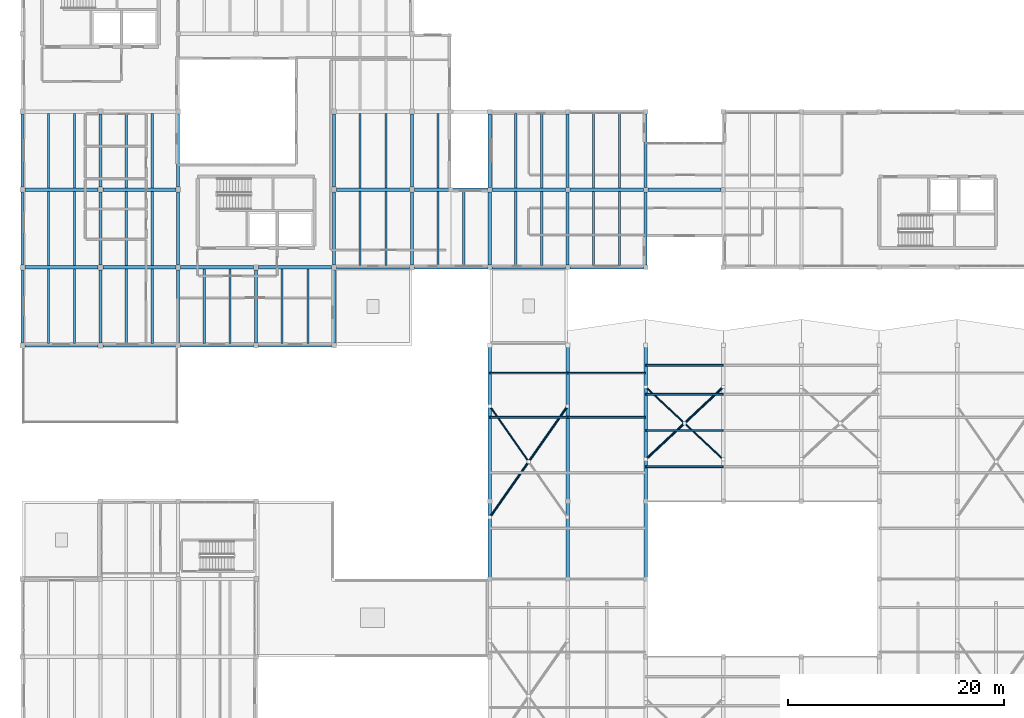
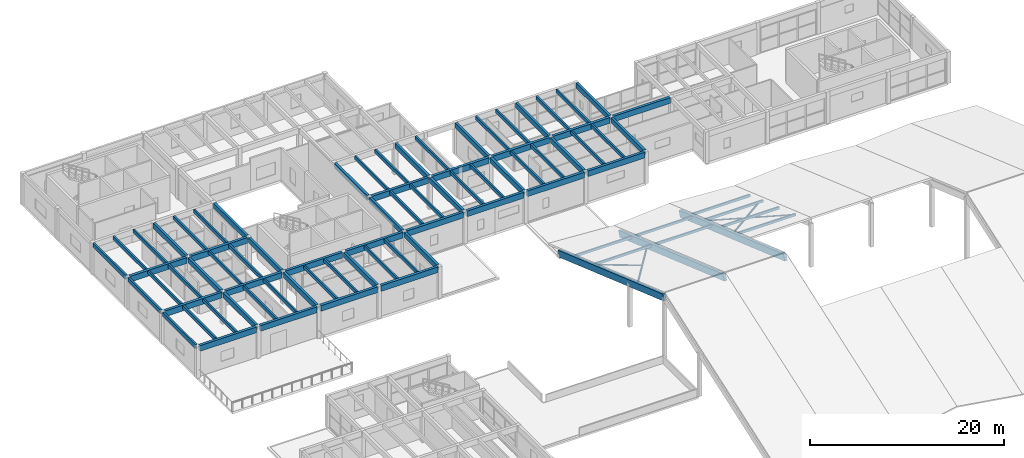
# One storey, part 27 of 68: 74 beams, 13 members.
"""IFC4 building model written with IfcOpenShell, lengths in metres."""

from ifc_helpers import new_model, si_unit, direction, frame, origin, origin_2d, place, context, subcontext, project, spatial, rectangle, hollow_circle, extrude, material, material_profile, profile_set, type_object, element, save


model = new_model("IFC4")

# Units and contexts
model_context = context("Model", 3, precision=1e-05, world=origin(), true_north=direction((0.0, 1.0)))
body_context = subcontext(model_context, "Body", "Model", "MODEL_VIEW")
ifc_project = project(units=[si_unit("LENGTHUNIT", "METRE"), si_unit("AREAUNIT", "SQUARE_METRE"), si_unit("VOLUMEUNIT", "CUBIC_METRE"), si_unit("PLANEANGLEUNIT", "RADIAN"), si_unit("MASSUNIT", "GRAM", prefix="KILO")], contexts=[model_context])

# Site, building, storey
site_placement = place(None, origin())
site = spatial("IfcSite", under=ifc_project, at=site_placement, CompositionType="ELEMENT")
building_placement = place(site_placement, origin())
building = spatial("IfcBuilding", under=site, at=building_placement, Name="Bramvelor Terrace Health Centre", CompositionType="ELEMENT")
storey_placement = place(building_placement, frame((0.0, 0.0, 9.300048828125)))
storey = spatial("IfcBuildingStorey", under=building, at=storey_placement, Name="L03", CompositionType="ELEMENT", Elevation=9.300048828125)

# Beams
ifc_material_1 = material(Name="Glulam GL28h", Category="wood")
ifc_material_profile_1 = material_profile(ifc_material_1, rectangle(XDim=0.280029296875, YDim=0.639892578125, at=origin_2d()), Name="GL 280x640")
ifc_profile_set_1 = profile_set([ifc_material_profile_1], Name="Glulam GL28h")
beam_type_1 = type_object("IfcBeamType", Name="BM-GL-G640", PredefinedType="BEAM", material=ifc_profile_set_1)
for number, where, z_axis, x_axis, name in (
    (1, (7.199951171875, 79.425048828125, 3.669921875), (0.0, 1.0, 0.0), (-1.0, 0.0, 0.0), "L03 Floor Girder"),
    (2, (7.199951171875, 86.625, 3.669921875), (0.0, 1.0, 0.0), (-1.0, 0.0, 0.0), "L03 Floor Girder"),
    (3, (7.199951171875, 93.824951171875, 3.669921875), (0.0, 1.0, 0.0), (-1.0, 0.0, 0.0), "L03 Floor Girder"),
    (4, (14.39990234375, 79.425048828125, 3.669921875), (0.0, 1.0, 0.0), (-1.0, 0.0, 0.0), "L03 Floor Girder"),
    (5, (14.39990234375, 86.625, 3.669921875), (0.0, 1.0, 0.0), (-1.0, 0.0, 0.0), "L03 Floor Girder"),
    (6, (14.39990234375, 93.824951171875, 3.669921875), (0.0, 1.0, 0.0), (-1.0, 0.0, 0.0), "L03 Floor Girder"),
    (7, (21.60009765625, 79.425048828125, 3.669921875), (0.0, 1.0, 0.0), (-1.0, 0.0, 0.0), "L03 Floor Girder"),
    (8, (28.800048828125, 79.425048828125, 3.669921875), (0.0, 1.0, 0.0), (-1.0, 0.0, 0.0), "L03 Floor Girder"),
    (9, (28.800048828125, 86.625, 3.669921875), (0.0, 1.0, 0.0), (-1.0, 0.0, 0.0), "L03 Floor Girder"),
    (10, (28.800048828125, 93.824951171875, 3.669921875), (0.0, 1.0, 0.0), (-1.0, 0.0, 0.0), "L03 Floor Girder"),
    (11, (36.0, 86.625, 3.669921875), (0.0, 1.0, 0.0), (-1.0, 0.0, 0.0), "L03 Floor Girder"),
    (12, (36.0, 93.824951171875, 3.669921875), (0.0, 1.0, 0.0), (-1.0, 0.0, 0.0), "L03 Floor Girder"),
):
    element("IfcBeam", number, at=place(storey_placement, frame(where, z_axis=z_axis, x_axis=x_axis)), inside=storey, type_object=beam_type_1, Name=name, PredefinedType="BEAM", context=body_context, shape_type="SweptSolid", body=[
        extrude(rectangle(XDim=0.280029296875, YDim=0.639892578125, at=origin_2d()), origin(), (0.0, 0.0, 1.0), 6.75),
    ])
beam_1_placement = place(storey_placement, frame((43.199951171875, 86.610107421875, 3.669921875), z_axis=(0.0, 1.0, 0.0), x_axis=(-1.0, 0.0, 0.0)))
element("IfcBeam", 13, at=beam_1_placement, inside=storey, type_object=beam_type_1, Name="L03 Floor Girder", PredefinedType="BEAM", context=body_context, shape_type="SweptSolid", body=[
    extrude(rectangle(XDim=0.280029296875, YDim=0.639892578125, at=origin_2d()), origin(), (0.0, 0.0, 1.0), 6.77978515625),
])
beam_2_placement = place(storey_placement, frame((43.199951171875, 93.81005859375, 3.669921875), z_axis=(0.0, 1.0, 0.0), x_axis=(-1.0, 0.0, 0.0)))
element("IfcBeam", 14, at=beam_2_placement, inside=storey, type_object=beam_type_1, Name="L03 Floor Girder", PredefinedType="BEAM", context=body_context, shape_type="SweptSolid", body=[
    extrude(rectangle(XDim=0.280029296875, YDim=0.639892578125, at=origin_2d()), origin(), (0.0, 0.0, 1.0), 6.780029296875),
])
beam_3_placement = place(storey_placement, frame((50.39990234375, 86.610107421875, 3.669921875), z_axis=(0.0, 1.0, 0.0), x_axis=(-1.0, 0.0, 0.0)))
element("IfcBeam", 15, at=beam_3_placement, inside=storey, type_object=beam_type_1, Name="L03 Floor Girder", PredefinedType="BEAM", context=body_context, shape_type="SweptSolid", body=[
    extrude(rectangle(XDim=0.280029296875, YDim=0.639892578125, at=origin_2d()), origin(), (0.0, 0.0, 1.0), 6.77978515625),
])
beam_4_placement = place(storey_placement, frame((50.39990234375, 93.81005859375, 3.669921875), z_axis=(0.0, 1.0, 0.0), x_axis=(-1.0, 0.0, 0.0)))
element("IfcBeam", 16, at=beam_4_placement, inside=storey, type_object=beam_type_1, Name="L03 Floor Girder", PredefinedType="BEAM", context=body_context, shape_type="SweptSolid", body=[
    extrude(rectangle(XDim=0.280029296875, YDim=0.639892578125, at=origin_2d()), origin(), (0.0, 0.0, 1.0), 6.780029296875),
])
beam_5_placement = place(storey_placement, frame((57.60009765625, 86.610107421875, 3.669921875), z_axis=(0.0, 1.0, 0.0), x_axis=(-1.0, 0.0, 0.0)))
element("IfcBeam", 17, at=beam_5_placement, inside=storey, type_object=beam_type_1, Name="L03 Floor Girder", PredefinedType="BEAM", context=body_context, shape_type="SweptSolid", body=[
    extrude(rectangle(XDim=0.280029296875, YDim=0.639892578125, at=origin_2d()), origin(), (0.0, 0.0, 1.0), 6.77978515625),
])
beam_6_placement = place(storey_placement, frame((57.60009765625, 93.81005859375, 3.669921875), z_axis=(0.0, 1.0, 0.0), x_axis=(-1.0, 0.0, 0.0)))
element("IfcBeam", 18, at=beam_6_placement, inside=storey, type_object=beam_type_1, Name="L03 Floor Girder", PredefinedType="BEAM", context=body_context, shape_type="SweptSolid", body=[
    extrude(rectangle(XDim=0.280029296875, YDim=0.639892578125, at=origin_2d()), origin(), (0.0, 0.0, 1.0), 6.780029296875),
])
ifc_material_2 = material(Name="Glulam GL28h", Category="wood")
ifc_material_profile_2 = material_profile(ifc_material_2, rectangle(XDim=0.320068359375, YDim=0.719970703125, at=origin_2d()), Name="GL 320x720")
ifc_profile_set_2 = profile_set([ifc_material_profile_2], Name="Glulam GL28h")
beam_type_2 = type_object("IfcBeamType", Name="BM-GL-G720", PredefinedType="BEAM", material=ifc_profile_set_2)
for number, where, z_axis, x_axis, name in (
    (19, (0.22509765625, 79.199951171875, 3.6298828125), (1.0, 0.0, 0.0), (0.0, 1.0, 0.0), "L03 Floor Girder"),
    (20, (0.22509765625, 86.39990234375, 3.6298828125), (1.0, 0.0, 0.0), (0.0, 1.0, 0.0), "L03 Floor Girder"),
    (21, (0.22509765625, 93.60009765625, 3.6298828125), (1.0, 0.0, 0.0), (0.0, 1.0, 0.0), "L03 Floor Girder"),
    (22, (7.425048828125, 79.199951171875, 3.6298828125), (1.0, 0.0, 0.0), (0.0, 1.0, 0.0), "L03 Floor Girder"),
    (23, (7.425048828125, 86.39990234375, 3.6298828125), (1.0, 0.0, 0.0), (0.0, 1.0, 0.0), "L03 Floor Girder"),
    (24, (7.425048828125, 93.60009765625, 3.6298828125), (1.0, 0.0, 0.0), (0.0, 1.0, 0.0), "L03 Floor Girder"),
    (25, (14.625, 79.199951171875, 3.6298828125), (1.0, 0.0, 0.0), (0.0, 1.0, 0.0), "L03 Floor Girder"),
    (26, (14.625, 86.39990234375, 3.6298828125), (1.0, 0.0, 0.0), (0.0, 1.0, 0.0), "L03 Floor Girder"),
    (27, (21.824951171875, 79.199951171875, 3.6298828125), (1.0, 0.0, 0.0), (0.0, 1.0, 0.0), "L03 Floor Girder"),
    (28, (21.824951171875, 86.39990234375, 3.6298828125), (1.0, 0.0, 0.0), (0.0, 1.0, 0.0), "L03 Floor Girder"),
    (29, (29.02490234375, 86.39990234375, 3.6298828125), (1.0, 0.0, 0.0), (0.0, 1.0, 0.0), "L03 Floor Girder"),
    (30, (29.02490234375, 93.60009765625, 3.6298828125), (1.0, 0.0, 0.0), (0.0, 1.0, 0.0), "L03 Floor Girder"),
):
    element("IfcBeam", number, at=place(storey_placement, frame(where, z_axis=z_axis, x_axis=x_axis)), inside=storey, type_object=beam_type_2, Name=name, PredefinedType="BEAM", context=body_context, shape_type="SweptSolid", body=[
        extrude(rectangle(XDim=0.320068359375, YDim=0.719970703125, at=origin_2d()), origin(), (0.0, 0.0, 1.0), 6.75),
    ])
for number, where, z_axis, x_axis, name in (
    (31, (36.22509765625, 86.39990234375, 3.619873046875), (1.0, 0.0, 0.0), (0.0, 1.0, 0.0), "L03 Floor Girder"),
    (32, (36.22509765625, 93.60009765625, 3.619873046875), (1.0, 0.0, 0.0), (0.0, 1.0, 0.0), "L03 Floor Girder"),
):
    element("IfcBeam", number, at=place(storey_placement, frame(where, z_axis=z_axis, x_axis=x_axis)), inside=storey, type_object=beam_type_2, Name=name, PredefinedType="BEAM", context=body_context, shape_type="SweptSolid", body=[
        extrude(rectangle(XDim=0.320068359375, YDim=0.719970703125, at=origin_2d()), origin(), (0.0, 0.0, 1.0), 6.764892578125),
    ])
for number, where, z_axis, x_axis, name in (
    (33, (43.409912109375, 86.39990234375, 3.6298828125), (1.0, 0.0, 0.0), (0.0, 1.0, 0.0), "L03 Floor Girder"),
    (34, (43.409912109375, 93.60009765625, 3.6298828125), (1.0, 0.0, 0.0), (0.0, 1.0, 0.0), "L03 Floor Girder"),
):
    element("IfcBeam", number, at=place(storey_placement, frame(where, z_axis=z_axis, x_axis=x_axis)), inside=storey, type_object=beam_type_2, Name=name, PredefinedType="BEAM", context=body_context, shape_type="SweptSolid", body=[
        extrude(rectangle(XDim=0.320068359375, YDim=0.719970703125, at=origin_2d()), origin(), (0.0, 0.0, 1.0), 6.780029296875),
    ])
for number, where, z_axis, x_axis, name in (
    (35, (50.610107421875, 86.39990234375, 3.6298828125), (1.0, 0.0, 0.0), (0.0, 1.0, 0.0), "L03 Floor Girder"),
    (36, (50.610107421875, 93.60009765625, 3.6298828125), (1.0, 0.0, 0.0), (0.0, 1.0, 0.0), "L03 Floor Girder"),
):
    element("IfcBeam", number, at=place(storey_placement, frame(where, z_axis=z_axis, x_axis=x_axis)), inside=storey, type_object=beam_type_2, Name=name, PredefinedType="BEAM", context=body_context, shape_type="SweptSolid", body=[
        extrude(rectangle(XDim=0.320068359375, YDim=0.719970703125, at=origin_2d()), origin(), (0.0, 0.0, 1.0), 6.77978515625),
    ])
beam_7_placement = place(storey_placement, frame((57.81005859375, 93.60009765625, 3.6298828125), z_axis=(1.0, 0.0, 0.0), x_axis=(0.0, 1.0, 0.0)))
element("IfcBeam", 37, at=beam_7_placement, inside=storey, type_object=beam_type_2, Name="L03 Floor Girder", PredefinedType="BEAM", context=body_context, shape_type="SweptSolid", body=[
    extrude(rectangle(XDim=0.320068359375, YDim=0.719970703125, at=origin_2d()), origin(), (0.0, 0.0, 1.0), 6.780029296875),
])
ifc_material_3 = material(Name="Glulam GL28h", Category="wood")
ifc_material_profile_3 = material_profile(ifc_material_3, rectangle(XDim=0.199951171875, YDim=0.43994140625, at=origin_2d()), Name="GL 200x440")
ifc_profile_set_3 = profile_set([ifc_material_profile_3], Name="Glulam GL28h")
beam_type_3 = type_object("IfcBeamType", Name="BM-GL-J440", PredefinedType="JOIST", material=ifc_profile_set_3)
for number, where, z_axis, x_axis, name in (
    (38, (2.39990234375, 79.360107421875, 3.77001953125), (0.0, 1.0, 0.0), (-1.0, 0.0, 0.0), "L03 Secondary Floor Joist"),
    (39, (4.800048828125, 79.360107421875, 3.77001953125), (0.0, 1.0, 0.0), (-1.0, 0.0, 0.0), "L03 Secondary Floor Joist"),
    (40, (2.39990234375, 86.56005859375, 3.77001953125), (0.0, 1.0, 0.0), (-1.0, 0.0, 0.0), "L03 Secondary Floor Joist"),
    (41, (4.800048828125, 86.56005859375, 3.77001953125), (0.0, 1.0, 0.0), (-1.0, 0.0, 0.0), "L03 Secondary Floor Joist"),
    (42, (2.39990234375, 93.760009765625, 3.77001953125), (0.0, 1.0, 0.0), (-1.0, 0.0, 0.0), "L03 Secondary Floor Joist"),
    (43, (4.800048828125, 93.760009765625, 3.77001953125), (0.0, 1.0, 0.0), (-1.0, 0.0, 0.0), "L03 Secondary Floor Joist"),
    (44, (9.60009765625, 79.360107421875, 3.77001953125), (0.0, 1.0, 0.0), (-1.0, 0.0, 0.0), "L03 Secondary Floor Joist"),
    (45, (12.0, 79.360107421875, 3.77001953125), (0.0, 1.0, 0.0), (-1.0, 0.0, 0.0), "L03 Secondary Floor Joist"),
    (46, (9.60009765625, 86.56005859375, 3.77001953125), (0.0, 1.0, 0.0), (-1.0, 0.0, 0.0), "L03 Secondary Floor Joist"),
    (47, (12.0, 86.56005859375, 3.77001953125), (0.0, 1.0, 0.0), (-1.0, 0.0, 0.0), "L03 Secondary Floor Joist"),
    (48, (9.60009765625, 93.760009765625, 3.77001953125), (0.0, 1.0, 0.0), (-1.0, 0.0, 0.0), "L03 Secondary Floor Joist"),
    (49, (12.0, 93.760009765625, 3.77001953125), (0.0, 1.0, 0.0), (-1.0, 0.0, 0.0), "L03 Secondary Floor Joist"),
    (50, (16.800048828125, 79.360107421875, 3.77001953125), (0.0, 1.0, 0.0), (-1.0, 0.0, 0.0), "L03 Secondary Floor Joist"),
    (51, (19.199951171875, 79.360107421875, 3.77001953125), (0.0, 1.0, 0.0), (-1.0, 0.0, 0.0), "L03 Secondary Floor Joist"),
    (52, (24.0, 79.360107421875, 3.77001953125), (0.0, 1.0, 0.0), (-1.0, 0.0, 0.0), "L03 Secondary Floor Joist"),
    (53, (26.39990234375, 79.360107421875, 3.77001953125), (0.0, 1.0, 0.0), (-1.0, 0.0, 0.0), "L03 Secondary Floor Joist"),
    (54, (31.199951171875, 86.56005859375, 3.77001953125), (0.0, 1.0, 0.0), (-1.0, 0.0, 0.0), "L03 Secondary Floor Joist"),
    (55, (33.60009765625, 86.56005859375, 3.77001953125), (0.0, 1.0, 0.0), (-1.0, 0.0, 0.0), "L03 Secondary Floor Joist"),
    (56, (31.199951171875, 93.760009765625, 3.77001953125), (0.0, 1.0, 0.0), (-1.0, 0.0, 0.0), "L03 Secondary Floor Joist"),
    (57, (33.60009765625, 93.760009765625, 3.77001953125), (0.0, 1.0, 0.0), (-1.0, 0.0, 0.0), "L03 Secondary Floor Joist"),
    (58, (38.39990234375, 86.56005859375, 3.760009765625), (0.0, 1.0, 0.0), (-1.0, 0.0, 0.0), "L03 Secondary Floor Joist"),
    (59, (40.800048828125, 86.56005859375, 3.760009765625), (0.0, 1.0, 0.0), (-1.0, 0.0, 0.0), "L03 Secondary Floor Joist"),
    (60, (38.39990234375, 93.760009765625, 3.760009765625), (0.0, 1.0, 0.0), (-1.0, 0.0, 0.0), "L03 Secondary Floor Joist"),
    (61, (45.60009765625, 86.56005859375, 3.77001953125), (0.0, 1.0, 0.0), (-1.0, 0.0, 0.0), "L03 Secondary Floor Joist"),
    (62, (48.0, 86.56005859375, 3.77001953125), (0.0, 1.0, 0.0), (-1.0, 0.0, 0.0), "L03 Secondary Floor Joist"),
    (63, (45.60009765625, 93.760009765625, 3.77001953125), (0.0, 1.0, 0.0), (-1.0, 0.0, 0.0), "L03 Secondary Floor Joist"),
    (64, (48.0, 93.760009765625, 3.77001953125), (0.0, 1.0, 0.0), (-1.0, 0.0, 0.0), "L03 Secondary Floor Joist"),
    (65, (52.800048828125, 86.56005859375, 3.77001953125), (0.0, 1.0, 0.0), (-1.0, 0.0, 0.0), "L03 Secondary Floor Joist"),
    (66, (55.199951171875, 86.56005859375, 3.77001953125), (0.0, 1.0, 0.0), (-1.0, 0.0, 0.0), "L03 Secondary Floor Joist"),
    (67, (52.800048828125, 93.760009765625, 3.77001953125), (0.0, 1.0, 0.0), (-1.0, 0.0, 0.0), "L03 Secondary Floor Joist"),
    (68, (55.199951171875, 93.760009765625, 3.77001953125), (0.0, 1.0, 0.0), (-1.0, 0.0, 0.0), "L03 Secondary Floor Joist"),
):
    element("IfcBeam", number, at=place(storey_placement, frame(where, z_axis=z_axis, x_axis=x_axis)), inside=storey, type_object=beam_type_3, Name=name, PredefinedType="JOIST", context=body_context, shape_type="SweptSolid", body=[
        extrude(rectangle(XDim=0.199951171875, YDim=0.43994140625, at=origin_2d()), origin(), (0.0, 0.0, 1.0), 6.8798828125),
    ])
ifc_material_4 = material(Name="Glulam GL28h", Category="wood")
ifc_material_profile_4 = material_profile(ifc_material_4, rectangle(XDim=0.320068359375, YDim=0.800048828125, at=origin_2d()), Name="GL 320x800")
ifc_profile_set_4 = profile_set([ifc_material_profile_4], Name="Glulam GL28h")
beam_type_4 = type_object("IfcBeamType", Name="BM-GL-RCH800", PredefinedType="BEAM", material=ifc_profile_set_4)
for number, where, z_axis, x_axis, name in (
    (69, (43.199951171875, 57.60009765625, 8.0517578125), (0.0, 0.943856859467, -0.33035470155), (-1.0, 0.0, 0.0), "Folded-Plate North Principal Glulam Chord 1"),
    (70, (50.39990234375, 57.60009765625, 8.0517578125), (0.0, 0.943856859467, -0.33035470155), (-1.0, 0.0, 0.0), "Folded-Plate North Principal Glulam Chord 2"),
    (71, (57.60009765625, 57.60009765625, 8.0517578125), (0.0, 0.943856859467, -0.33035470155), (-1.0, 0.0, 0.0), "Folded-Plate North Principal Glulam Chord 3"),
):
    element("IfcBeam", number, at=place(storey_placement, frame(where, z_axis=z_axis, x_axis=x_axis)), inside=storey, type_object=beam_type_4, Name=name, PredefinedType="BEAM", context=body_context, shape_type="SweptSolid", body=[
        extrude(rectangle(XDim=0.320068359375, YDim=0.800048828125, at=origin_2d()), origin(), (0.0, 0.0, 1.0), 22.884765625),
    ])
ifc_material_5 = material(Name="Glulam GL28h", Category="wood")
ifc_material_profile_5 = material_profile(ifc_material_5, rectangle(XDim=0.219970703125, YDim=0.52001953125, at=origin_2d()), Name="GL 220x520")
ifc_profile_set_5 = profile_set([ifc_material_profile_5], Name="Glulam GL28h")
beam_type_5 = type_object("IfcBeamType", Name="BM-GL-SP520-EXT", PredefinedType="SPANDREL", material=ifc_profile_set_5)
for number, where, z_axis, x_axis, name in (
    (72, (0.0, 79.425048828125, 3.72998046875), (0.0, 1.0, 0.0), (-1.0, 0.0, 0.0), "L03 Floor Girder"),
    (73, (0.0, 86.625, 3.72998046875), (0.0, 1.0, 0.0), (-1.0, 0.0, 0.0), "L03 Floor Girder"),
    (74, (0.0, 93.824951171875, 3.72998046875), (0.0, 1.0, 0.0), (-1.0, 0.0, 0.0), "L03 Floor Girder"),
):
    element("IfcBeam", number, at=place(storey_placement, frame(where, z_axis=z_axis, x_axis=x_axis)), inside=storey, type_object=beam_type_5, Name=name, PredefinedType="SPANDREL", context=body_context, shape_type="SweptSolid", body=[
        extrude(rectangle(XDim=0.219970703125, YDim=0.52001953125, at=origin_2d()), origin(), (0.0, 0.0, 1.0), 6.75),
    ])

# Members
ifc_material_6 = material(Name="Glulam GL28h", Category="wood")
ifc_material_profile_6 = material_profile(ifc_material_6, rectangle(XDim=0.159912109375, YDim=0.320068359375, at=origin_2d()), Name="GL 160x320")
ifc_profile_set_6 = profile_set([ifc_material_profile_6], Name="Glulam GL28h")
member_type_1 = type_object("IfcMemberType", Name="MEM-GL-PUR320", PredefinedType="PURLIN", material=ifc_profile_set_6)
for number, where, z_axis, x_axis, name in (
    (75, (43.219970703125, 72.5439453125, 3.047607421875), (1.0, 0.0, 0.0), (0.0, 1.0, 0.0), "Folded-Plate Roof Purlin N1-3"),
    (76, (43.219970703125, 76.64794921875, 1.611083984375), (1.0, 0.0, 0.0), (0.0, 1.0, 0.0), "Folded-Plate Roof Purlin N1-4"),
):
    element("IfcMember", number, at=place(storey_placement, frame(where, z_axis=z_axis, x_axis=x_axis)), inside=storey, type_object=member_type_1, Name=name, PredefinedType="PURLIN", context=body_context, shape_type="SweptSolid", body=[
        extrude(rectangle(XDim=0.159912109375, YDim=0.320068359375, at=origin_2d()), origin(), (0.0, 0.0, 1.0), 7.159912109375),
    ])
for number, where, z_axis, x_axis, name in (
    (77, (50.419921875, 72.5439453125, 3.047607421875), (1.0, 0.0, 0.0), (0.0, 1.0, 0.0), "Folded-Plate Roof Purlin N2-3"),
    (78, (50.419921875, 76.64794921875, 1.611083984375), (1.0, 0.0, 0.0), (0.0, 1.0, 0.0), "Folded-Plate Roof Purlin N2-4"),
):
    element("IfcMember", number, at=place(storey_placement, frame(where, z_axis=z_axis, x_axis=x_axis)), inside=storey, type_object=member_type_1, Name=name, PredefinedType="PURLIN", context=body_context, shape_type="SweptSolid", body=[
        extrude(rectangle(XDim=0.159912109375, YDim=0.320068359375, at=origin_2d()), origin(), (0.0, 0.0, 1.0), 7.16015625),
    ])
for number, where, z_axis, x_axis, name in (
    (79, (57.6201171875, 67.97998046875, 4.64501953125), (1.0, 0.0, 0.0), (0.0, 1.0, 0.0), "Folded-Plate Roof Purlin N3-1"),
    (80, (57.6201171875, 71.330078125, 3.472412109375), (1.0, 0.0, 0.0), (0.0, 1.0, 0.0), "Folded-Plate Roof Purlin N3-2"),
    (81, (57.6201171875, 74.679931640625, 2.300048828125), (1.0, 0.0, 0.0), (0.0, 1.0, 0.0), "Folded-Plate Roof Purlin N3-3"),
    (82, (57.6201171875, 77.360107421875, 1.362060546875), (1.0, 0.0, 0.0), (0.0, 1.0, 0.0), "Folded-Plate Roof Purlin N3-4"),
):
    element("IfcMember", number, at=place(storey_placement, frame(where, z_axis=z_axis, x_axis=x_axis)), inside=storey, type_object=member_type_1, Name=name, PredefinedType="PURLIN", context=body_context, shape_type="SweptSolid", body=[
        extrude(rectangle(XDim=0.159912109375, YDim=0.320068359375, at=origin_2d()), origin(), (0.0, 0.0, 1.0), 7.159912109375),
    ])
ifc_material_7 = material(Name="Steel S355J2", Category="steel")
ifc_material_profile_7 = material_profile(ifc_material_7, hollow_circle(Radius=0.084228515625, WallThickness=0.00634765625, at=origin_2d()), Name="CHS 168.3x6.3")
ifc_profile_set_7 = profile_set([ifc_material_profile_7], Name="Steel S355J2")
member_type_2 = type_object("IfcMemberType", Name="MEM-STL-CHS168", PredefinedType="BRACE", material=ifc_profile_set_7)
member_1_placement = place(storey_placement, frame((46.73681640625, 68.530517578125, 4.225830078125), z_axis=(-0.550605019808, 0.787909103562, -0.275741467112), x_axis=(-0.819686857762, -0.572811884663, 0.0)))
element("IfcMember", 83, at=member_1_placement, inside=storey, type_object=member_type_2, Name="Folded-Plate Split Wind Brace N1-2B", PredefinedType="BRACE", context=body_context, shape_type="SweptSolid", body=[
    extrude(hollow_circle(Radius=0.084228515625, WallThickness=0.00634765625, at=origin_2d()), origin(), (0.0, 0.0, 1.0), 6.39599609375),
])
member_2_placement = place(storey_placement, frame((64.784912109375, 68.64990234375, 4.18408203125), z_axis=(-0.710625821561, 0.664072872069, -0.232418076562), x_axis=(-0.682769857923, -0.7306335067, 0.0)))
element("IfcMember", 84, at=member_2_placement, inside=storey, type_object=member_type_2, Name="Folded-Plate Split Wind Brace N3-2A", PredefinedType="BRACE", context=body_context, shape_type="SweptSolid", body=[
    extrude(hollow_circle(Radius=0.084228515625, WallThickness=0.00634765625, at=origin_2d()), origin(), (0.0, 0.0, 1.0), 4.9296875),
])
member_3_placement = place(storey_placement, frame((61.118408203125, 72.076416015625, 2.98486328125), z_axis=(-0.710650335394, 0.664049501554, -0.232409897143), x_axis=(-0.682744457393, -0.730657242419, 0.0)))
element("IfcMember", 85, at=member_3_placement, inside=storey, type_object=member_type_2, Name="Folded-Plate Split Wind Brace N3-2B", PredefinedType="BRACE", context=body_context, shape_type="SweptSolid", body=[
    extrude(hollow_circle(Radius=0.084228515625, WallThickness=0.00634765625, at=origin_2d()), origin(), (0.0, 0.0, 1.0), 4.929931640625),
])
ifc_material_8 = material(Name="Steel S355J2", Category="steel")
ifc_material_profile_8 = material_profile(ifc_material_8, hollow_circle(Radius=0.109619140625, WallThickness=0.008056640625, at=origin_2d()), Name="CHS 219.1x8.0")
ifc_profile_set_8 = profile_set([ifc_material_profile_8], Name="Steel S355J2")
member_type_3 = type_object("IfcMemberType", Name="MEM-STL-CHS219", PredefinedType="BRACE", material=ifc_profile_set_8)
member_4_placement = place(storey_placement, frame((43.215087890625, 63.31005859375, 6.05322265625), z_axis=(0.550602549461, 0.787900849261, -0.275769984337), x_axis=(-0.81968524684, 0.572814189868, 0.0)))
element("IfcMember", 86, at=member_4_placement, inside=storey, type_object=member_type_3, Name="Folded-Plate Continuous Wind Brace N1-1", PredefinedType="BRACE", context=body_context, shape_type="SweptSolid", body=[
    extrude(hollow_circle(Radius=0.109619140625, WallThickness=0.008056640625, at=origin_2d()), origin(), (0.0, 0.0, 1.0), 13.02197265625),
])
member_5_placement = place(storey_placement, frame((57.614990234375, 68.64990234375, 4.18408203125), z_axis=(0.710627583159, 0.664071894314, -0.232415484072), x_axis=(-0.682768417754, 0.730634852521, 0.0)))
element("IfcMember", 87, at=member_5_placement, inside=storey, type_object=member_type_3, Name="Folded-Plate Continuous Wind Brace N3-1", PredefinedType="BRACE", context=body_context, shape_type="SweptSolid", body=[
    extrude(hollow_circle(Radius=0.109619140625, WallThickness=0.008056640625, at=origin_2d()), origin(), (0.0, 0.0, 1.0), 10.089599609375),
])

save(model, "model.ifc")
